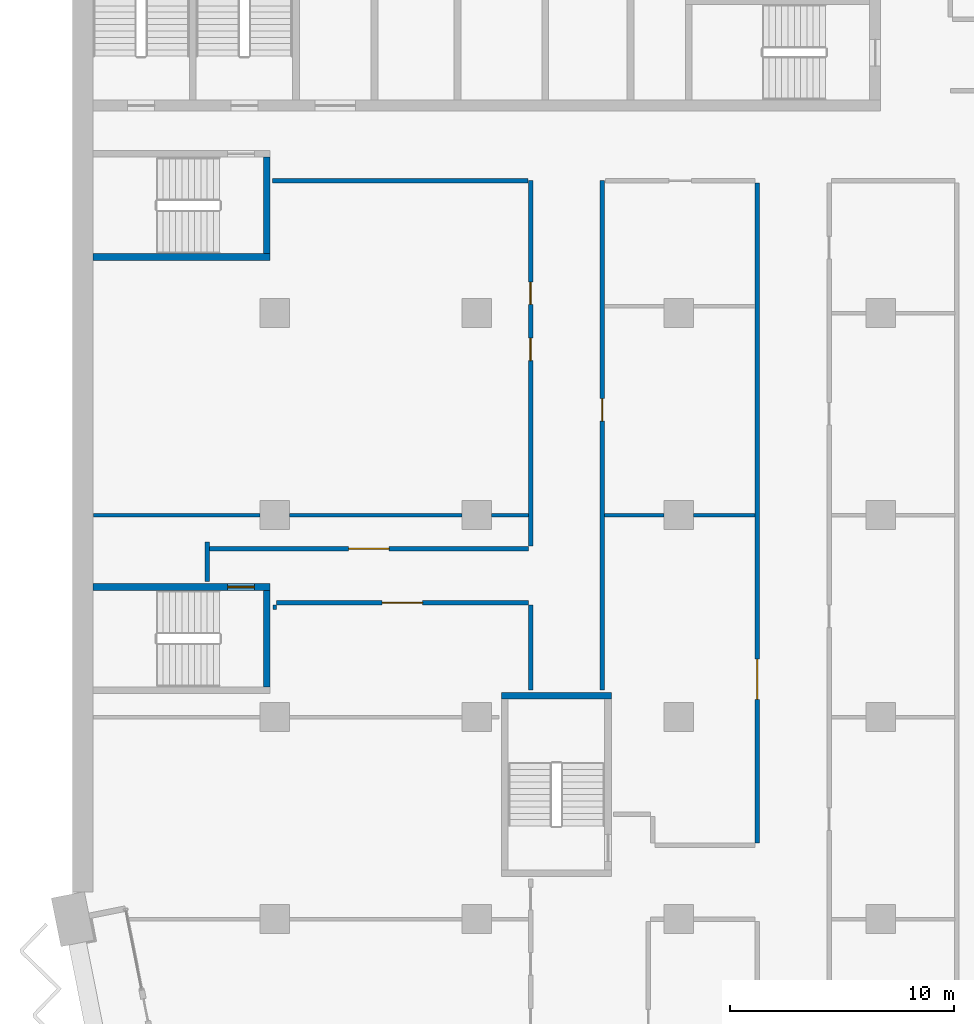
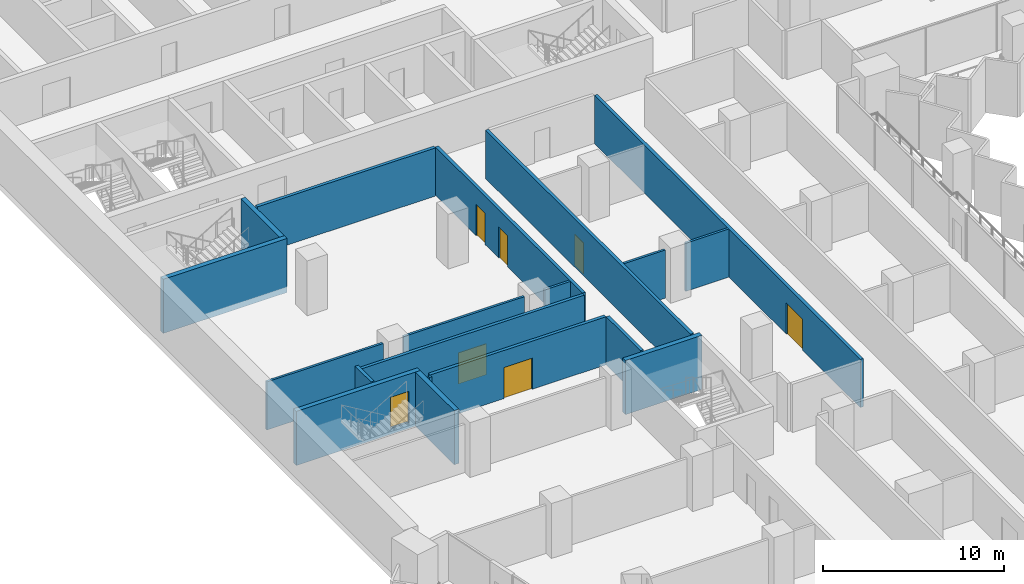
# One storey, part 10 of 23: 19 walls, 7 doors, 7 openings.
"""IFC4 building model written with IfcOpenShell, lengths in metres."""

from ifc_helpers import new_model, si_unit, direction, frame, frame_2d, origin, place, context, subcontext, project, spatial, rectangle, extrude, material, layer, layer_set, type_object, element, fill, save


model = new_model("IFC4")

# Units and contexts
model_context = context("Model", 3, precision=1e-05, world=origin(), true_north=direction((0.0, 1.0)))
body_context = subcontext(model_context, "Body", "Model", "MODEL_VIEW")
ifc_project = project(units=[si_unit("LENGTHUNIT", "METRE"), si_unit("AREAUNIT", "SQUARE_METRE"), si_unit("VOLUMEUNIT", "CUBIC_METRE"), si_unit("PLANEANGLEUNIT", "RADIAN"), si_unit("MASSUNIT", "GRAM", prefix="KILO")], contexts=[model_context])

# Site, building, storey
site_placement = place(None, origin())
site = spatial("IfcSite", under=ifc_project, at=site_placement, CompositionType="ELEMENT")
building_placement = place(site_placement, origin())
building = spatial("IfcBuilding", under=site, at=building_placement, Name="Hunhe Ridgeline Campus", CompositionType="ELEMENT")
storey_placement = place(building_placement, frame((0.0, 0.0, 125.5)))
storey = spatial("IfcBuildingStorey", under=building, at=storey_placement, Name="L31", CompositionType="ELEMENT", Elevation=125.5)

# Wall, opening, door
ifc_material_1 = material(Name="Gypsum board partition")
ifc_layer_1 = layer(ifc_material_1, 0.199951171875)
ifc_layer_set_1 = layer_set([ifc_layer_1], Name="Corridor partition 200 gypsum board on steel studs")
wall_type_1 = type_object("IfcWallType", Name="Corridor partition 200 gypsum board on steel studs", PredefinedType="PARTITIONING", material=ifc_layer_set_1)
wall_1_placement = place(storey_placement, frame((20.300048828125, 41.10009765625, 0.0), z_axis=(0.0, 0.0, 1.0), x_axis=(-1.0, 0.0, 0.0)))
wall_1 = element("IfcWall", 1, at=wall_1_placement, inside=storey, type_object=wall_type_1, Name="F-L31-wall-022", PredefinedType="PARTITIONING", context=body_context, shape_type="SweptSolid", body=[
    extrude(rectangle(XDim=11.22509765625, YDim=0.199951171875, at=frame_2d((5.612548828125, 0.0))), origin(), (0.0, 0.0, 1.0), 3.25),
])
opening_1_placement = place(wall_1_placement, frame((4.71240234375, 0.0, 0.0)))
opening_1 = element("IfcOpeningElement", 2, at=opening_1_placement, cuts=wall_1, Name="Opening RD2-013", PredefinedType="OPENING", context=body_context, shape_type="SweptSolid", body=[
    extrude(rectangle(XDim=1.800048828125, YDim=2.10009765625, at=frame_2d((0.89990234375, 1.050048828125))), frame((0.0, 0.10009765625, 0.0), z_axis=(0.0, -1.0, 0.0), x_axis=(1.0, 0.0, 0.0)), (0.0, 0.0, 1.0), 0.199951171875),
])
ifc_material_2 = material(Name="Timber door leaf", Category="wood")
door_type_1 = type_object("IfcDoorType", Name="Double fire door 1800x2100 timber FD60", OperationType="DOUBLE_DOOR_SINGLE_SWING", PredefinedType="DOOR", material=ifc_material_2)
door_1_placement = place(opening_1_placement, origin())
door_1 = element("IfcDoor", 3, at=door_1_placement, inside=storey, type_object=door_type_1, Name="F-L31-door-013", OperationType="DOUBLE_DOOR_SINGLE_SWING", OverallHeight=2.10009765625, OverallWidth=1.800048828125, PredefinedType="DOOR", context=body_context, shape_type="SweptSolid", body=[
    extrude(rectangle(XDim=1.800048828125, YDim=2.10009765625, at=frame_2d((0.89990234375, 1.050048828125))), frame((0.0, 0.02490234375, 0.0), z_axis=(0.0, -1.0, 0.0), x_axis=(1.0, 0.0, 0.0)), (0.0, 0.0, 1.0), 0.050048828125),
])
fill(opening_1, door_1)

wall_2_placement = place(storey_placement, frame((6.10009765625, 43.5, 0.0), z_axis=(0.0, 0.0, 1.0), x_axis=(1.0, 0.0, 0.0)))
wall_2 = element("IfcWall", 4, at=wall_2_placement, inside=storey, type_object=wall_type_1, Name="F-L31-wall-023", PredefinedType="PARTITIONING", context=body_context, shape_type="SweptSolid", body=[
    extrude(rectangle(XDim=14.199951171875, YDim=0.199951171875, at=frame_2d((7.10009765625, 0.0))), origin(), (0.0, 0.0, 1.0), 3.25),
])
opening_2_placement = place(wall_2_placement, frame((6.199951171875, 0.0, 0.0)))
opening_2 = element("IfcOpeningElement", 5, at=opening_2_placement, cuts=wall_2, Name="Opening RD2-014", PredefinedType="OPENING", context=body_context, shape_type="SweptSolid", body=[
    extrude(rectangle(XDim=1.800048828125, YDim=2.10009765625, at=frame_2d((0.89990234375, 1.050048828125))), frame((0.0, 0.10009765625, 0.0), z_axis=(0.0, -1.0, 0.0), x_axis=(1.0, 0.0, 0.0)), (0.0, 0.0, 1.0), 0.199951171875),
])
door_2_placement = place(opening_2_placement, origin())
door_2 = element("IfcDoor", 6, at=door_2_placement, inside=storey, type_object=door_type_1, Name="F-L31-door-014", OperationType="DOUBLE_DOOR_SINGLE_SWING", OverallHeight=2.10009765625, OverallWidth=1.800048828125, PredefinedType="DOOR", context=body_context, shape_type="SweptSolid", body=[
    extrude(rectangle(XDim=1.800048828125, YDim=2.10009765625, at=frame_2d((0.89990234375, 1.050048828125))), frame((0.0, 0.02490234375, 0.0), z_axis=(0.0, -1.0, 0.0), x_axis=(1.0, 0.0, 0.0)), (0.0, 0.0, 1.0), 0.050048828125),
])
fill(opening_2, door_2)

# Walls
wall_3_placement = place(storey_placement, frame((20.276611328125, 59.89990234375, 0.0), z_axis=(0.0, 0.0, 1.0), x_axis=(-1.0, 0.0, 0.0)))
element("IfcWall", 7, at=wall_3_placement, inside=storey, type_object=wall_type_1, Name="F-L31-wall-035", PredefinedType="PARTITIONING", context=body_context, shape_type="SweptSolid", body=[
    extrude(rectangle(XDim=11.37255859375, YDim=0.199951171875, at=frame_2d((5.686279296875, 0.0))), origin(), (0.0, 0.0, 1.0), 3.25),
])
wall_4_placement = place(storey_placement, frame((6.0, 42.053955078125, 0.0), z_axis=(0.0, 0.0, 1.0), x_axis=(0.0, 1.0, 0.0)))
element("IfcWall", 8, at=wall_4_placement, inside=storey, type_object=wall_type_1, Name="F-L31-wall-053", PredefinedType="PARTITIONING", context=body_context, shape_type="SweptSolid", body=[
    extrude(rectangle(XDim=1.74609375, YDim=0.199951171875, at=frame_2d((0.873046875, 0.0))), origin(), (0.0, 0.0, 1.0), 3.25),
])
wall_5_placement = place(storey_placement, frame((20.39990234375, 37.2041015625, 0.0), z_axis=(0.0, 0.0, 1.0), x_axis=(0.0, 1.0, 0.0)))
element("IfcWall", 9, at=wall_5_placement, inside=storey, type_object=wall_type_1, Name="F-L31-wall-056", PredefinedType="PARTITIONING", context=body_context, shape_type="SweptSolid", body=[
    extrude(rectangle(XDim=3.7958984375, YDim=0.199951171875, at=frame_2d((1.89794921875, 0.0))), origin(), (0.0, 0.0, 1.0), 3.25),
])

# Wall, openings, doors
wall_6_placement = place(storey_placement, frame((20.39990234375, 43.6181640625, 0.0), z_axis=(0.0, 0.0, 1.0), x_axis=(0.0, 1.0, 0.0)))
wall_6 = element("IfcWall", 10, at=wall_6_placement, inside=storey, type_object=wall_type_1, Name="F-L31-wall-057", PredefinedType="PARTITIONING", context=body_context, shape_type="SweptSolid", body=[
    extrude(rectangle(XDim=16.28173828125, YDim=0.199951171875, at=frame_2d((8.140869140625, 0.0))), origin(), (0.0, 0.0, 1.0), 3.25),
])
opening_3_placement = place(wall_6_placement, frame((8.26708984375, 0.0, 0.0)))
opening_3 = element("IfcOpeningElement", 11, at=opening_3_placement, cuts=wall_6, Name="Opening RD1-017", PredefinedType="OPENING", context=body_context, shape_type="SweptSolid", body=[
    extrude(rectangle(XDim=1.0, YDim=2.10009765625, at=frame_2d((0.5, 1.050048828125))), frame((0.0, 0.10009765625, 0.0), z_axis=(0.0, -1.0, 0.0), x_axis=(1.0, 0.0, 0.0)), (0.0, 0.0, 1.0), 0.199951171875),
])
opening_4_placement = place(wall_6_placement, frame((10.76708984375, 0.0, 0.0)))
opening_4 = element("IfcOpeningElement", 12, at=opening_4_placement, cuts=wall_6, Name="Opening RD1-018", PredefinedType="OPENING", context=body_context, shape_type="SweptSolid", body=[
    extrude(rectangle(XDim=1.0, YDim=2.10009765625, at=frame_2d((0.5, 1.050048828125))), frame((0.0, 0.10009765625, 0.0), z_axis=(0.0, -1.0, 0.0), x_axis=(1.0, 0.0, 0.0)), (0.0, 0.0, 1.0), 0.199951171875),
])
door_type_2 = type_object("IfcDoorType", Name="Single fire door 1000x2100 timber FD60", OperationType="NOTDEFINED", PredefinedType="DOOR", material=ifc_material_2)
door_3_placement = place(opening_3_placement, frame((1.0, 0.0, 0.0), z_axis=(0.0, 0.0, 1.0), x_axis=(-1.0, 0.0, 0.0)))
door_3 = element("IfcDoor", 13, at=door_3_placement, inside=storey, type_object=door_type_2, Name="F-L31-door-017", OperationType="SINGLE_SWING_LEFT", OverallHeight=2.10009765625, OverallWidth=1.0, PredefinedType="DOOR", context=body_context, shape_type="SweptSolid", body=[
    extrude(rectangle(XDim=1.0, YDim=2.10009765625, at=frame_2d((0.5, 1.050048828125))), frame((0.0, 0.02490234375, 0.0), z_axis=(0.0, -1.0, 0.0), x_axis=(1.0, 0.0, 0.0)), (0.0, 0.0, 1.0), 0.050048828125),
])
fill(opening_3, door_3)
door_4_placement = place(opening_4_placement, frame((1.0, 0.0, 0.0), z_axis=(0.0, 0.0, 1.0), x_axis=(-1.0, 0.0, 0.0)))
door_4 = element("IfcDoor", 14, at=door_4_placement, inside=storey, type_object=door_type_2, Name="F-L31-door-018", OperationType="SINGLE_SWING_LEFT", OverallHeight=2.10009765625, OverallWidth=1.0, PredefinedType="DOOR", context=body_context, shape_type="SweptSolid", body=[
    extrude(rectangle(XDim=1.0, YDim=2.10009765625, at=frame_2d((0.5, 1.050048828125))), frame((0.0, 0.02490234375, 0.0), z_axis=(0.0, -1.0, 0.0), x_axis=(1.0, 0.0, 0.0)), (0.0, 0.0, 1.0), 0.050048828125),
])
fill(opening_4, door_4)

# Wall, opening, door
wall_7_placement = place(storey_placement, frame((23.60009765625, 59.89990234375, 0.0), z_axis=(0.0, 0.0, 1.0), x_axis=(0.0, -1.0, 0.0)))
wall_7 = element("IfcWall", 15, at=wall_7_placement, inside=storey, type_object=wall_type_1, Name="F-L31-wall-058", PredefinedType="PARTITIONING", context=body_context, shape_type="SweptSolid", body=[
    extrude(rectangle(XDim=22.69580078125, YDim=0.199951171875, at=frame_2d((11.347900390625, 0.0))), origin(), (0.0, 0.0, 1.0), 3.25),
])
opening_5_placement = place(wall_7_placement, frame((9.713134765625, 0.0, 0.0)))
opening_5 = element("IfcOpeningElement", 16, at=opening_5_placement, cuts=wall_7, Name="Opening RD1-016", PredefinedType="OPENING", context=body_context, shape_type="SweptSolid", body=[
    extrude(rectangle(XDim=1.0, YDim=2.10009765625, at=frame_2d((0.5, 1.050048828125))), frame((0.0, 0.10009765625, 0.0), z_axis=(0.0, -1.0, 0.0), x_axis=(1.0, 0.0, 0.0)), (0.0, 0.0, 1.0), 0.199951171875),
])
door_5_placement = place(opening_5_placement, origin())
door_5 = element("IfcDoor", 17, at=door_5_placement, inside=storey, type_object=door_type_2, Name="F-L31-door-016", OperationType="SINGLE_SWING_LEFT", OverallHeight=2.10009765625, OverallWidth=1.0, PredefinedType="DOOR", context=body_context, shape_type="SweptSolid", body=[
    extrude(rectangle(XDim=1.0, YDim=2.10009765625, at=frame_2d((0.5, 1.050048828125))), frame((0.0, 0.02490234375, 0.0), z_axis=(0.0, -1.0, 0.0), x_axis=(1.0, 0.0, 0.0)), (0.0, 0.0, 1.0), 0.050048828125),
])
fill(opening_5, door_5)

wall_8_placement = place(storey_placement, frame((30.5, 30.39892578125, 0.0), z_axis=(0.0, 0.0, 1.0), x_axis=(0.0, 1.0, 0.0)))
wall_8 = element("IfcWall", 18, at=wall_8_placement, inside=storey, type_object=wall_type_1, Name="F-L31-wall-062", PredefinedType="PARTITIONING", context=body_context, shape_type="SweptSolid", body=[
    extrude(rectangle(XDim=29.401123046875, YDim=0.199951171875, at=frame_2d((14.70068359375, 0.0))), origin(), (0.0, 0.0, 1.0), 3.25),
])
opening_6_placement = place(wall_8_placement, frame((6.387451171875, 0.0, 0.0)))
opening_6 = element("IfcOpeningElement", 19, at=opening_6_placement, cuts=wall_8, Name="Opening RD2-011", PredefinedType="OPENING", context=body_context, shape_type="SweptSolid", body=[
    extrude(rectangle(XDim=1.800048828125, YDim=2.10009765625, at=frame_2d((0.89990234375, 1.050048828125))), frame((0.0, 0.10009765625, 0.0), z_axis=(0.0, -1.0, 0.0), x_axis=(1.0, 0.0, 0.0)), (0.0, 0.0, 1.0), 0.199951171875),
])
door_6_placement = place(opening_6_placement, origin())
door_6 = element("IfcDoor", 20, at=door_6_placement, inside=storey, type_object=door_type_1, Name="F-L31-door-011", OperationType="DOUBLE_DOOR_SINGLE_SWING", OverallHeight=2.10009765625, OverallWidth=1.800048828125, PredefinedType="DOOR", context=body_context, shape_type="SweptSolid", body=[
    extrude(rectangle(XDim=1.800048828125, YDim=2.10009765625, at=frame_2d((0.89990234375, 1.050048828125))), frame((0.0, 0.02490234375, 0.0), z_axis=(0.0, -1.0, 0.0), x_axis=(1.0, 0.0, 0.0)), (0.0, 0.0, 1.0), 0.050048828125),
])
fill(opening_6, door_6)

# Walls
ifc_layer_2 = layer(ifc_material_1, 0.14990234375)
ifc_layer_set_2 = layer_set([ifc_layer_2], Name="Room partition 150 gypsum board on steel studs")
wall_type_2 = type_object("IfcWallType", Name="Room partition 150 gypsum board on steel studs", PredefinedType="PARTITIONING", material=ifc_layer_set_2)
wall_9_placement = place(storey_placement, frame((0.919921875, 45.0, 0.0), z_axis=(0.0, 0.0, 1.0), x_axis=(1.0, 0.0, 0.0)))
element("IfcWall", 21, at=wall_9_placement, inside=storey, type_object=wall_type_2, Name="F-L31-wall-024", PredefinedType="PARTITIONING", context=body_context, shape_type="SweptSolid", body=[
    extrude(rectangle(XDim=7.43017578125, YDim=0.14990234375, at=frame_2d((3.715087890625, 0.0))), origin(), (0.0, 0.0, 1.0), 3.25),
])
wall_10_placement = place(storey_placement, frame((9.64990234375, 45.0, 0.0), z_axis=(0.0, 0.0, 1.0), x_axis=(1.0, 0.0, 0.0)))
element("IfcWall", 22, at=wall_10_placement, inside=storey, type_object=wall_type_2, Name="F-L31-wall-025", PredefinedType="PARTITIONING", context=body_context, shape_type="SweptSolid", body=[
    extrude(rectangle(XDim=7.7001953125, YDim=0.14990234375, at=frame_2d((3.85009765625, 0.0))), origin(), (0.0, 0.0, 1.0), 3.25),
])
wall_11_placement = place(storey_placement, frame((18.64990234375, 45.0, 0.0), z_axis=(0.0, 0.0, 1.0), x_axis=(1.0, 0.0, 0.0)))
element("IfcWall", 23, at=wall_11_placement, inside=storey, type_object=wall_type_2, Name="F-L31-wall-026", PredefinedType="PARTITIONING", context=body_context, shape_type="SweptSolid", body=[
    extrude(rectangle(XDim=1.650146484375, YDim=0.14990234375, at=frame_2d((0.8251953125, 0.0))), origin(), (0.0, 0.0, 1.0), 3.25),
])
wall_12_placement = place(storey_placement, frame((23.699951171875, 45.0, 0.0), z_axis=(0.0, 0.0, 1.0), x_axis=(1.0, 0.0, 0.0)))
element("IfcWall", 24, at=wall_12_placement, inside=storey, type_object=wall_type_2, Name="F-L31-wall-027", PredefinedType="PARTITIONING", context=body_context, shape_type="SweptSolid", body=[
    extrude(rectangle(XDim=2.650146484375, YDim=0.14990234375, at=frame_2d((1.3251953125, 0.0))), origin(), (0.0, 0.0, 1.0), 3.25),
])
wall_13_placement = place(storey_placement, frame((27.64990234375, 45.0, 0.0), z_axis=(0.0, 0.0, 1.0), x_axis=(1.0, 0.0, 0.0)))
element("IfcWall", 25, at=wall_13_placement, inside=storey, type_object=wall_type_2, Name="F-L31-wall-028", PredefinedType="PARTITIONING", context=body_context, shape_type="SweptSolid", body=[
    extrude(rectangle(XDim=2.75, YDim=0.14990234375, at=frame_2d((1.375, 0.0))), origin(), (0.0, 0.0, 1.0), 3.25),
])
wall_14_placement = place(storey_placement, frame((9.0, 41.0, 0.0), z_axis=(0.0, 0.0, 1.0), x_axis=(0.0, -1.0, 0.0)))
element("IfcWall", 26, at=wall_14_placement, inside=storey, type_object=wall_type_2, Name="F-L31-wall-054", PredefinedType="PARTITIONING", context=body_context, shape_type="SweptSolid", body=[
    extrude(rectangle(XDim=0.199951171875, YDim=0.14990234375, at=frame_2d((0.10009765625, 0.0))), origin(), (0.0, 0.0, 1.0), 3.25),
])
ifc_material_3 = material(Name="Concrete C80", Category="concrete")
ifc_layer_3 = layer(ifc_material_3, 0.300048828125)
ifc_layer_set_3 = layer_set([ifc_layer_3], Name="Stair wall 300 reinforced concrete C80")
wall_type_3 = type_object("IfcWallType", Name="Stair wall 300 reinforced concrete C80", PredefinedType="SOLIDWALL", material=ifc_layer_set_3)
wall_15_placement = place(storey_placement, frame((19.10009765625, 36.949951171875, -0.39990234375), z_axis=(0.0, 0.0, 1.0), x_axis=(1.0, 0.0, 0.0)))
element("IfcWall", 27, at=wall_15_placement, inside=storey, type_object=wall_type_3, Name="L31 core wall 2", PredefinedType="SOLIDWALL", context=body_context, shape_type="SweptSolid", body=[
    extrude(rectangle(XDim=4.89990234375, YDim=0.300048828125, at=frame_2d((2.449951171875, 0.0))), origin(), (0.0, 0.0, 1.0), 3.64990234375),
])

# Wall, opening, door
wall_16_placement = place(storey_placement, frame((0.89990234375, 41.800048828125, -0.39990234375), z_axis=(0.0, 0.0, 1.0), x_axis=(1.0, 0.0, 0.0)))
wall_16 = element("IfcWall", 28, at=wall_16_placement, inside=storey, type_object=wall_type_3, Name="L31 core wall 4", PredefinedType="SOLIDWALL", context=body_context, shape_type="SweptSolid", body=[
    extrude(rectangle(XDim=7.900146484375, YDim=0.300048828125, at=frame_2d((3.9501953125, 0.0))), origin(), (0.0, 0.0, 1.0), 3.64990234375),
])
opening_7_placement = place(wall_16_placement, frame((6.0, 0.0, 0.39990234375)))
opening_7 = element("IfcOpeningElement", 29, at=opening_7_placement, cuts=wall_16, Name="Opening CD21", PredefinedType="OPENING", context=body_context, shape_type="SweptSolid", body=[
    extrude(rectangle(XDim=1.199951171875, YDim=2.10009765625, at=frame_2d((0.60009765625, 1.050048828125))), frame((0.0, 0.14990234375, 0.0), z_axis=(0.0, -1.0, 0.0), x_axis=(1.0, 0.0, 0.0)), (0.0, 0.0, 1.0), 0.300048828125),
])
ifc_material_4 = material(Name="Hollow metal fire door leaf")
door_type_3 = type_object("IfcDoorType", Name="Stair door 1200x2100 FD60", OperationType="SINGLE_SWING_LEFT", PredefinedType="DOOR", material=ifc_material_4)
door_7_placement = place(opening_7_placement, origin())
door_7 = element("IfcDoor", 30, at=door_7_placement, inside=storey, type_object=door_type_3, Name="L31 door W1", OperationType="SINGLE_SWING_RIGHT", OverallHeight=2.10009765625, OverallWidth=1.199951171875, PredefinedType="DOOR", context=body_context, shape_type="SweptSolid", body=[
    extrude(rectangle(XDim=1.199951171875, YDim=2.10009765625, at=frame_2d((0.60009765625, 1.050048828125))), frame((0.0, 0.02490234375, 0.0), z_axis=(0.0, -1.0, 0.0), x_axis=(1.0, 0.0, 0.0)), (0.0, 0.0, 1.0), 0.050048828125),
])
fill(opening_7, door_7)

# Walls
wall_17_placement = place(storey_placement, frame((0.89990234375, 56.5, -0.39990234375), z_axis=(0.0, 0.0, 1.0), x_axis=(1.0, 0.0, 0.0)))
element("IfcWall", 31, at=wall_17_placement, inside=storey, type_object=wall_type_3, Name="L31 core wall 5", PredefinedType="SOLIDWALL", context=body_context, shape_type="SweptSolid", body=[
    extrude(rectangle(XDim=7.900146484375, YDim=0.300048828125, at=frame_2d((3.9501953125, 0.0))), origin(), (0.0, 0.0, 1.0), 3.64990234375),
])
wall_18_placement = place(storey_placement, frame((8.64990234375, 37.35009765625, -0.39990234375), z_axis=(0.0, 0.0, 1.0), x_axis=(0.0, 1.0, 0.0)))
element("IfcWall", 32, at=wall_18_placement, inside=storey, type_object=wall_type_3, Name="L31 core wall 36", PredefinedType="SOLIDWALL", context=body_context, shape_type="SweptSolid", body=[
    extrude(rectangle(XDim=4.2998046875, YDim=0.300048828125, at=frame_2d((2.14990234375, 0.0))), origin(), (0.0, 0.0, 1.0), 3.64990234375),
])
wall_19_placement = place(storey_placement, frame((8.64990234375, 56.64990234375, -0.39990234375), z_axis=(0.0, 0.0, 1.0), x_axis=(0.0, 1.0, 0.0)))
element("IfcWall", 33, at=wall_19_placement, inside=storey, type_object=wall_type_3, Name="L31 core wall 37", PredefinedType="SOLIDWALL", context=body_context, shape_type="SweptSolid", body=[
    extrude(rectangle(XDim=4.300048828125, YDim=0.300048828125, at=frame_2d((2.14990234375, 0.0))), origin(), (0.0, 0.0, 1.0), 3.64990234375),
])

save(model, "model.ifc")
